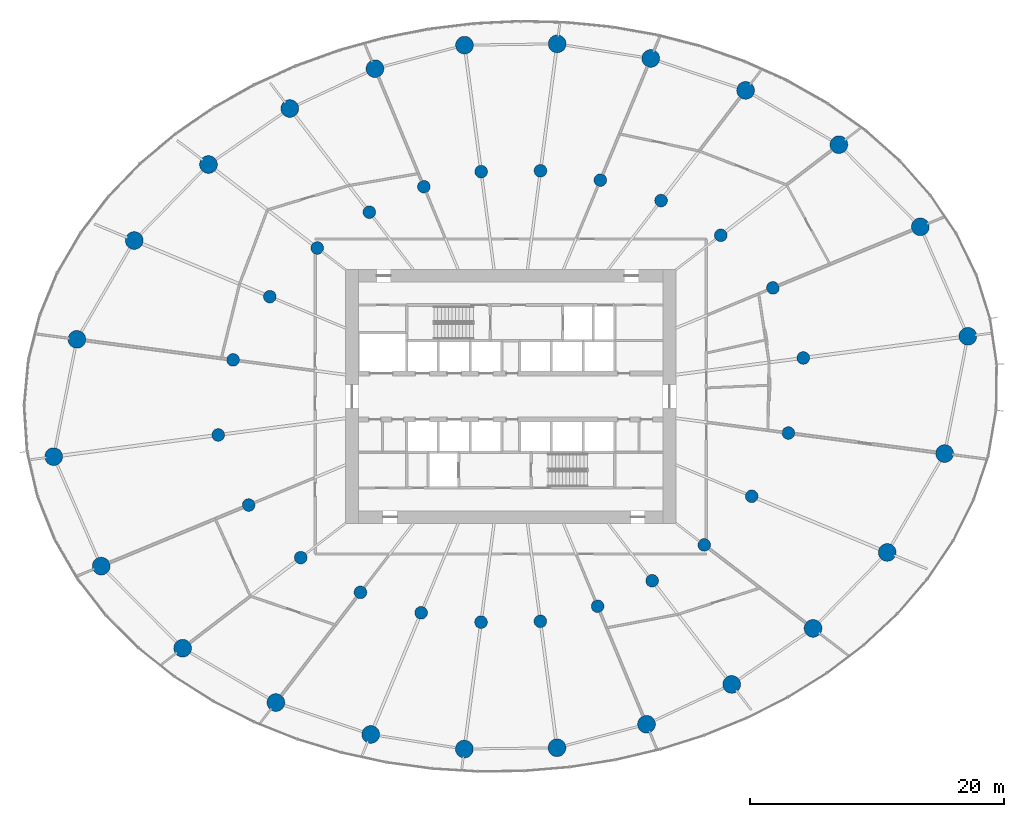
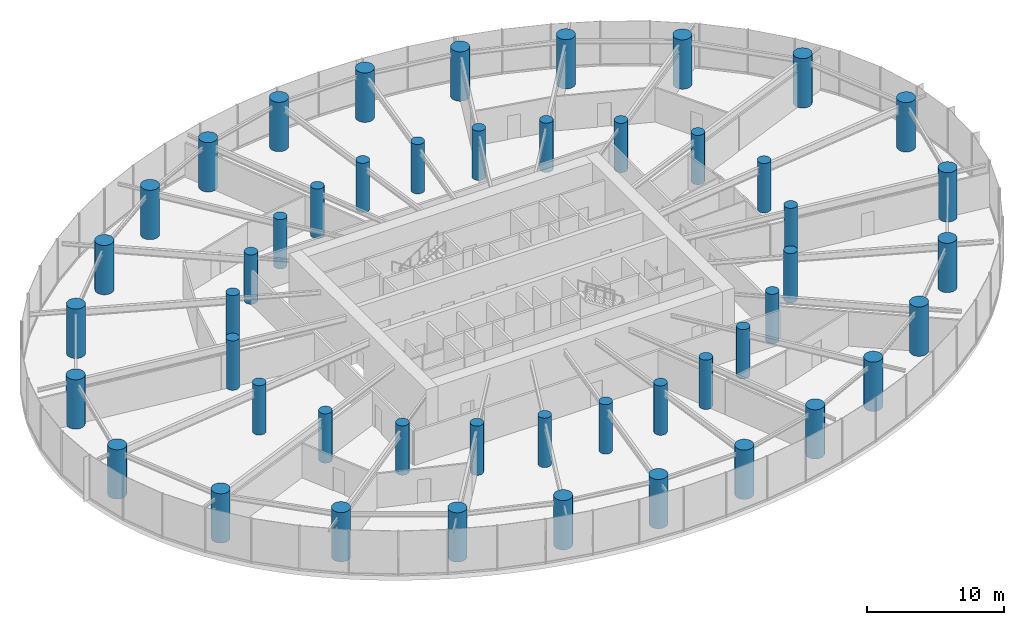
# One storey, part 1 of 19: 48 columns.
"""IFC4 building model written with IfcOpenShell, lengths in metres."""

import ifcopenshell
import ifcopenshell.guid

model = None  # the IFC model being written
_history = None  # IfcOwnerHistory: only IFC2X3 demands one
_inside = {}  # id of a spatial element -> (the spatial element, [elements in it])
_under = {}  # id of a project, library or spatial element -> (it, [spatial elements below it])
_declared = {}  # id of a project -> (the project, [libraries it declares])
_typed = {}  # id of a type object -> (the type object, [elements of that type])
_made_of = {}  # id of a material, layer set ... -> (it, [elements and type objects made of it])


def new_model(schema):
    """Start an empty IFC model of exactly this schema.

    Asked for "IFC4X3", IfcOpenShell would pick the latest addendum, in which some entities
    have other attributes; the version numbers below select the first issue.
    IFC2X3 requires an IfcOwnerHistory on every rooted entity: one is made here for all.
    """
    global model, _history
    if schema == "IFC4X3":
        model = ifcopenshell.file(schema_version=(4, 3, 0, 0))
    else:
        model = ifcopenshell.file(schema=schema)
    _inside.clear()
    _under.clear()
    _declared.clear()
    _typed.clear()
    _made_of.clear()
    _history = None
    if model.schema == "IFC2X3":
        org = make("IfcOrganization", Name="unknown")
        user = make(
            "IfcPersonAndOrganization",
            ThePerson=make("IfcPerson", FamilyName="unknown"),
            TheOrganization=org,
        )
        app = make(
            "IfcApplication",
            ApplicationDeveloper=org,
            Version="unknown",
            ApplicationFullName="unknown",
            ApplicationIdentifier="unknown",
        )
        _history = make(
            "IfcOwnerHistory",
            OwningUser=user,
            OwningApplication=app,
            ChangeAction="ADDED",
            CreationDate=0,
        )
    return model


def make(cls, **values):
    """One entity of the class cls with the attributes given. An attribute that is None is left unset."""
    return model.create_entity(
        cls, **{name: value for name, value in values.items() if value is not None}
    )


def rooted(cls, **values):
    """An entity with a GlobalId (a new one), such as an element, a storey or a relation."""
    return make(cls, GlobalId=ifcopenshell.guid.new(), OwnerHistory=_history, **values)


def si_unit(unit_type, name, prefix=None):
    """IfcSIUnit, for example si_unit("LENGTHUNIT", "METRE", prefix="MILLI")."""
    return make("IfcSIUnit", UnitType=unit_type, Prefix=prefix, Name=name)


def assignment(units):
    """IfcUnitAssignment: the units of a project."""
    return None if units is None else make("IfcUnitAssignment", Units=units)


def point(xyz):
    """IfcCartesianPoint."""
    return None if xyz is None else make("IfcCartesianPoint", Coordinates=xyz)


def direction(xyz):
    """IfcDirection."""
    return None if xyz is None else make("IfcDirection", DirectionRatios=xyz)


def frame(location, z_axis=None, x_axis=None):
    """IfcAxis2Placement3D, a coordinate frame: its origin and axes. An axis left out is left unset."""
    return make(
        "IfcAxis2Placement3D",
        Location=point(location),
        Axis=direction(z_axis),
        RefDirection=direction(x_axis),
    )


def frame_2d(location, x_axis=None):
    """IfcAxis2Placement2D, a coordinate frame in the plane: its origin and x axis."""
    return make(
        "IfcAxis2Placement2D", Location=point(location), RefDirection=direction(x_axis)
    )


def origin():
    """The frame at (0, 0, 0) with its axes left unset."""
    return frame((0.0, 0.0, 0.0))


def origin_2d():
    """The frame at (0, 0) in the plane with its x axis left unset."""
    return frame_2d((0.0, 0.0))


def place(relative_to, where):
    """IfcLocalPlacement: puts the frame where relative to a parent placement (None: the world)."""
    return make(
        "IfcLocalPlacement", PlacementRelTo=relative_to, RelativePlacement=where
    )


def context(
    kind, dimensions, precision=None, world=None, true_north=None, identifier=None
):
    """IfcGeometricRepresentationContext, for example the 3D "Model" context."""
    return make(
        "IfcGeometricRepresentationContext",
        ContextIdentifier=identifier,
        ContextType=kind,
        CoordinateSpaceDimension=dimensions,
        Precision=precision,
        WorldCoordinateSystem=world,
        TrueNorth=true_north,
    )


def subcontext(parent, identifier, kind, view, scale=None):
    """IfcGeometricRepresentationSubContext, for example "Body" below "Model"."""
    return make(
        "IfcGeometricRepresentationSubContext",
        ContextIdentifier=identifier,
        ContextType=kind,
        ParentContext=parent,
        TargetScale=scale,
        TargetView=view,
    )


def project(units=None, contexts=None):
    """IfcProject with its units and contexts."""
    return rooted(
        "IfcProject",
        Name="project",
        RepresentationContexts=contexts,
        UnitsInContext=assignment(units),
    )


def spatial(cls, under=None, at=None, **own):
    """A site, building, storey or space (cls), placed at a placement, below another one or the project."""
    s = rooted(cls, ObjectPlacement=at, **own)
    if under is not None:
        _under.setdefault(under.id(), (under, []))[1].append(s)
    return s


def profile(cls, at=None, kind="AREA", **sizes):
    """A parametric profile (cls). Its sizes go by their IFC names, for example OverallWidth=200.0."""
    return make(cls, ProfileType=kind, Position=at, **sizes)


def circle(**sizes):
    """IfcCircleProfileDef."""
    return profile("IfcCircleProfileDef", **sizes)


def extrude(swept, where, along, depth):
    """IfcExtrudedAreaSolid: the profile swept, set in the frame where, extruded along a direction by depth."""
    return make(
        "IfcExtrudedAreaSolid",
        SweptArea=swept,
        Position=where,
        ExtrudedDirection=direction(along),
        Depth=depth,
    )


def shape(context_of_items, identifier, shape_type, items):
    """IfcShapeRepresentation: the items that make up one representation, for example the "Body"."""
    return make(
        "IfcShapeRepresentation",
        ContextOfItems=context_of_items,
        RepresentationIdentifier=identifier,
        RepresentationType=shape_type,
        Items=items,
    )


def source(mapping_origin, context_of_items, identifier, shape_type, items):
    """IfcRepresentationMap: a shape defined once, which mapped items show again and again."""
    return make(
        "IfcRepresentationMap",
        MappingOrigin=mapping_origin,
        MappedRepresentation=shape(context_of_items, identifier, shape_type, items),
    )


def transform(
    local_origin,
    x_axis=None,
    y_axis=None,
    z_axis=None,
    scale=None,
    scale2=None,
    scale3=None,
    uniform=True,
):
    """IfcCartesianTransformationOperator3D, or its non-uniform kind. x_axis, y_axis, z_axis: its Axis1, 2, 3."""
    if uniform:
        return make(
            "IfcCartesianTransformationOperator3D",
            Axis1=direction(x_axis),
            Axis2=direction(y_axis),
            LocalOrigin=point(local_origin),
            Scale=scale,
            Axis3=direction(z_axis),
        )
    return make(
        "IfcCartesianTransformationOperator3DnonUniform",
        Axis1=direction(x_axis),
        Axis2=direction(y_axis),
        LocalOrigin=point(local_origin),
        Scale=scale,
        Axis3=direction(z_axis),
        Scale2=scale2,
        Scale3=scale3,
    )


def mapped(mapping_source, mapping_target):
    """IfcMappedItem: shows the shape of a source again, moved by a transform."""
    return make(
        "IfcMappedItem", MappingSource=mapping_source, MappingTarget=mapping_target
    )


def material(Name=None, Category=None):
    """IfcMaterial."""
    return make("IfcMaterial", Name=Name, Category=Category)


def material_profile(
    of_material, cross_section, Name=None, Category=None, Priority=None
):
    """IfcMaterialProfile: a cross section and its material."""
    return make(
        "IfcMaterialProfile",
        Name=Name,
        Material=of_material,
        Profile=cross_section,
        Priority=Priority,
        Category=Category,
    )


def profile_set(profiles, Name=None, composite=None):
    """IfcMaterialProfileSet."""
    return make(
        "IfcMaterialProfileSet",
        Name=Name,
        MaterialProfiles=profiles,
        CompositeProfile=composite,
    )


def made_of(thing, what):
    """Note that an element or type object is made of a material, layer set ...; save() writes the relation."""
    if what is not None:
        _made_of.setdefault(what.id(), (what, []))[1].append(thing)
    return thing


def type_object(cls, material=None, **own):
    """A type object (cls), such as IfcWallType, which elements share."""
    return made_of(rooted(cls, **own), material)


def element(
    cls,
    number,
    at=None,
    inside=None,
    cuts=None,
    type_object=None,
    material=None,
    context=None,
    identifier="Body",
    shape_type=None,
    held_by="IfcProductDefinitionShape",
    body=None,
    shapes=None,
    **own,
):
    """One element of the class cls, such as IfcWall. Its Tag is "e" and its number.

    at: its placement. inside: the storey or other place that contains it. cuts: it is an
    opening in that element (IfcRelVoidsElement). A single representation is given by context,
    identifier, shape_type and body (its items); several are given by shapes. held_by: the class
    of the entity that holds the representations. save() writes the other relations.
    """
    e = rooted(cls, Tag="e%d" % number, ObjectPlacement=at, **own)
    if body is not None:
        shapes = [shape(context, identifier, shape_type, body)]
    if shapes is not None:
        e.Representation = make(held_by, Representations=shapes)
    if inside is not None:
        _inside.setdefault(inside.id(), (inside, []))[1].append(e)
    if cuts is not None:
        rooted(
            "IfcRelVoidsElement", RelatingBuildingElement=cuts, RelatedOpeningElement=e
        )
    if type_object is not None:
        _typed.setdefault(type_object.id(), (type_object, []))[1].append(e)
    return made_of(e, material)


def aggregate(whole, parts):
    """IfcRelAggregates: a whole, such as a stair, and the parts it consists of."""
    return rooted("IfcRelAggregates", RelatingObject=whole, RelatedObjects=parts)


def save(model, path):
    """Write the relations noted so far, then the file.

    IfcRelAggregates (storeys below a building ...), IfcRelContainedInSpatialStructure (elements
    in a storey), IfcRelDefinesByType, IfcRelAssociatesMaterial and IfcRelDeclares: one each for
    every whole, place, type object, material and project.
    """
    for whole, parts in _under.values():
        aggregate(whole, parts)
    for where, things in _inside.values():
        rooted(
            "IfcRelContainedInSpatialStructure",
            RelatedElements=things,
            RelatingStructure=where,
        )
    for kind, things in _typed.values():
        rooted("IfcRelDefinesByType", RelatedObjects=things, RelatingType=kind)
    for what, things in _made_of.values():
        rooted("IfcRelAssociatesMaterial", RelatedObjects=things, RelatingMaterial=what)
    for by, libraries in _declared.values():
        rooted("IfcRelDeclares", RelatingContext=by, RelatedDefinitions=libraries)
    model.write(path)


model = new_model("IFC4")

# Units and contexts
model_context = context("Model", 3, precision=1e-05, world=origin(), true_north=direction((0.0, 1.0)))
body_context = subcontext(model_context, "Body", "Model", "MODEL_VIEW")
ifc_project = project(units=[si_unit("LENGTHUNIT", "METRE"), si_unit("AREAUNIT", "SQUARE_METRE"), si_unit("VOLUMEUNIT", "CUBIC_METRE"), si_unit("PLANEANGLEUNIT", "RADIAN"), si_unit("MASSUNIT", "GRAM", prefix="KILO")], contexts=[model_context])

# Site, building, storey
site_placement = place(None, origin())
site = spatial("IfcSite", under=ifc_project, at=site_placement, CompositionType="ELEMENT")
building_placement = place(site_placement, origin())
building = spatial("IfcBuilding", under=site, at=building_placement, Name="Spindrift Exchange Tower", CompositionType="ELEMENT")
storey_placement = place(building_placement, frame((0.0, 0.0, 31.39990234375)))
storey = spatial("IfcBuildingStorey", under=building, at=storey_placement, Name="L07", CompositionType="ELEMENT", Elevation=31.39990234375)

# Columns
ifc_material = material(Name="Concrete 80 MPa", Category="concrete")
ifc_material_profile_1 = material_profile(ifc_material, circle(Radius=0.699951171875, at=origin_2d()), Name="RC D1400")
ifc_profile_set_1 = profile_set([ifc_material_profile_1], Name="Concrete 80 MPa")
column_type_1 = type_object("IfcColumnType", Name="RC Perimeter Column D1400 Concrete 80 MPa", PredefinedType="COLUMN", material=ifc_profile_set_1)
shared_shape_1 = source(origin(), body_context, "Body", "SweptSolid", [
    extrude(circle(Radius=0.699951171875, at=origin_2d()), origin(), (0.0, 0.0, 1.0), 4.400146484375),
])
for number, where, z_axis, x_axis, name in (
    (1, (87.990478515625, 52.73828125, 0.0), (0.0, 0.0, 1.0), (1.0, 0.0, 0.0), "Perimeter column P1-01 L07"),
    (2, (84.248779296875, 61.35791015625, 0.0), (0.0, 0.0, 1.0), (1.0, 0.0, 0.0), "Perimeter column P1-02 L07"),
    (3, (77.835693359375, 67.82421875, 0.0), (0.0, 0.0, 1.0), (1.0, 0.0, 0.0), "Perimeter column P1-03 L07"),
    (4, (70.4921875, 72.099609375, 0.0), (0.0, 0.0, 1.0), (1.0, 0.0, 0.0), "Perimeter column P1-04 L07"),
    (5, (63.022705078125, 74.611328125, 0.0), (0.0, 0.0, 1.0), (1.0, 0.0, 0.0), "Perimeter column P1-05 L07"),
    (6, (55.65478515625, 75.761474609375, 0.0), (0.0, 0.0, 1.0), (1.0, 0.0, 0.0), "Perimeter column P1-06 L07"),
    (7, (48.3583984375, 75.661376953125, 0.0), (0.0, 0.0, 1.0), (1.0, 0.0, 0.0), "Perimeter column P1-07 L07"),
    (8, (41.309814453125, 73.80859375, 0.0), (0.0, 0.0, 1.0), (1.0, 0.0, 0.0), "Perimeter column P1-08 L07"),
    (9, (34.603515625, 70.671630859375, 0.0), (0.0, 0.0, 1.0), (1.0, 0.0, 0.0), "Perimeter column P1-09 L07"),
    (10, (28.199462890625, 66.2626953125, 0.0), (0.0, 0.0, 1.0), (1.0, 0.0, 0.0), "Perimeter column P1-10 L07"),
    (11, (22.35546875, 60.279296875, 0.0), (0.0, 0.0, 1.0), (1.0, 0.0, 0.0), "Perimeter column P1-11 L07"),
    (12, (17.8388671875, 52.497314453125, 0.0), (0.0, 0.0, 1.0), (1.0, 0.0, 0.0), "Perimeter column P1-12 L07"),
    (13, (16.009521484375, 43.26171875, 0.0), (0.0, 0.0, 1.0), (1.0, 0.0, 0.0), "Perimeter column P1-13 L07"),
    (14, (19.751220703125, 34.64208984375, 0.0), (0.0, 0.0, 1.0), (1.0, 0.0, 0.0), "Perimeter column P1-14 L07"),
    (15, (26.164306640625, 28.17578125, 0.0), (0.0, 0.0, 1.0), (1.0, 0.0, 0.0), "Perimeter column P1-15 L07"),
    (16, (33.5078125, 23.900390625, 0.0), (0.0, 0.0, 1.0), (1.0, 0.0, 0.0), "Perimeter column P1-16 L07"),
    (17, (40.977294921875, 21.388671875, 0.0), (0.0, 0.0, 1.0), (1.0, 0.0, 0.0), "Perimeter column P1-17 L07"),
    (18, (48.34521484375, 20.238525390625, 0.0), (0.0, 0.0, 1.0), (1.0, 0.0, 0.0), "Perimeter column P1-18 L07"),
    (19, (55.6416015625, 20.338623046875, 0.0), (0.0, 0.0, 1.0), (1.0, 0.0, 0.0), "Perimeter column P1-19 L07"),
    (20, (62.690185546875, 22.19140625, 0.0), (0.0, 0.0, 1.0), (1.0, 0.0, 0.0), "Perimeter column P1-20 L07"),
    (21, (69.396484375, 25.328369140625, 0.0), (0.0, 0.0, 1.0), (1.0, 0.0, 0.0), "Perimeter column P1-21 L07"),
    (22, (75.800537109375, 29.7373046875, 0.0), (0.0, 0.0, 1.0), (1.0, 0.0, 0.0), "Perimeter column P1-22 L07"),
    (23, (81.64453125, 35.720703125, 0.0), (0.0, 0.0, 1.0), (1.0, 0.0, 0.0), "Perimeter column P1-23 L07"),
    (24, (86.1611328125, 43.502685546875, 0.0), (0.0, 0.0, 1.0), (1.0, 0.0, 0.0), "Perimeter column P1-24 L07"),
):
    element("IfcColumn", number, at=place(storey_placement, frame(where, z_axis=z_axis, x_axis=x_axis)), inside=storey, type_object=column_type_1, Name=name, PredefinedType="COLUMN", context=body_context, shape_type="MappedRepresentation", body=[
        mapped(shared_shape_1, transform((0.0, 0.0, 0.0), scale=1.0)),
    ])
ifc_material_profile_2 = material_profile(ifc_material, circle(Radius=0.5, at=origin_2d()), Name="RC D1000")
ifc_profile_set_2 = profile_set([ifc_material_profile_2], Name="Concrete 80 MPa")
column_type_2 = type_object("IfcColumnType", Name="RC Inner Column D1000 Concrete 80 MPa", PredefinedType="COLUMN", material=ifc_profile_set_2)
shared_shape_2 = source(origin(), body_context, "Body", "SweptSolid", [
    extrude(circle(Radius=0.5, at=origin_2d()), origin(), (0.0, 0.0, 1.0), 4.400146484375),
])
for number, where, z_axis, x_axis, name in (
    (25, (75.033935546875, 51.032470703125, 0.0), (0.0, 0.0, 1.0), (1.0, 0.0, 0.0), "Inner column Q1-01 L07"),
    (26, (72.639404296875, 56.549072265625, 0.0), (0.0, 0.0, 1.0), (1.0, 0.0, 0.0), "Inner column Q1-02 L07"),
    (27, (68.534912109375, 60.6875, 0.0), (0.0, 0.0, 1.0), (1.0, 0.0, 0.0), "Inner column Q1-03 L07"),
    (28, (63.835205078125, 63.423828125, 0.0), (0.0, 0.0, 1.0), (1.0, 0.0, 0.0), "Inner column Q1-04 L07"),
    (29, (59.0546875, 65.03125, 0.0), (0.0, 0.0, 1.0), (1.0, 0.0, 0.0), "Inner column Q1-05 L07"),
    (30, (54.339111328125, 65.767333984375, 0.0), (0.0, 0.0, 1.0), (1.0, 0.0, 0.0), "Inner column Q1-06 L07"),
    (31, (49.669189453125, 65.703125, 0.0), (0.0, 0.0, 1.0), (1.0, 0.0, 0.0), "Inner column Q1-07 L07"),
    (32, (45.158203125, 64.517578125, 0.0), (0.0, 0.0, 1.0), (1.0, 0.0, 0.0), "Inner column Q1-08 L07"),
    (33, (40.8662109375, 62.510009765625, 0.0), (0.0, 0.0, 1.0), (1.0, 0.0, 0.0), "Inner column Q1-09 L07"),
    (34, (36.767578125, 59.688232421875, 0.0), (0.0, 0.0, 1.0), (1.0, 0.0, 0.0), "Inner column Q1-10 L07"),
    (35, (33.027587890625, 55.858642578125, 0.0), (0.0, 0.0, 1.0), (1.0, 0.0, 0.0), "Inner column Q1-11 L07"),
    (36, (30.13671875, 50.87841796875, 0.0), (0.0, 0.0, 1.0), (1.0, 0.0, 0.0), "Inner column Q1-12 L07"),
    (37, (28.966064453125, 44.967529296875, 0.0), (0.0, 0.0, 1.0), (1.0, 0.0, 0.0), "Inner column Q1-13 L07"),
    (38, (31.360595703125, 39.450927734375, 0.0), (0.0, 0.0, 1.0), (1.0, 0.0, 0.0), "Inner column Q1-14 L07"),
    (39, (35.465087890625, 35.3125, 0.0), (0.0, 0.0, 1.0), (1.0, 0.0, 0.0), "Inner column Q1-15 L07"),
    (40, (40.164794921875, 32.576171875, 0.0), (0.0, 0.0, 1.0), (1.0, 0.0, 0.0), "Inner column Q1-16 L07"),
    (41, (44.9453125, 30.96875, 0.0), (0.0, 0.0, 1.0), (1.0, 0.0, 0.0), "Inner column Q1-17 L07"),
    (42, (49.660888671875, 30.232666015625, 0.0), (0.0, 0.0, 1.0), (1.0, 0.0, 0.0), "Inner column Q1-18 L07"),
    (43, (54.330810546875, 30.296875, 0.0), (0.0, 0.0, 1.0), (1.0, 0.0, 0.0), "Inner column Q1-19 L07"),
    (44, (58.841796875, 31.482421875, 0.0), (0.0, 0.0, 1.0), (1.0, 0.0, 0.0), "Inner column Q1-20 L07"),
    (45, (63.1337890625, 33.489990234375, 0.0), (0.0, 0.0, 1.0), (1.0, 0.0, 0.0), "Inner column Q1-21 L07"),
    (46, (67.232421875, 36.311767578125, 0.0), (0.0, 0.0, 1.0), (1.0, 0.0, 0.0), "Inner column Q1-22 L07"),
    (47, (70.972412109375, 40.141357421875, 0.0), (0.0, 0.0, 1.0), (1.0, 0.0, 0.0), "Inner column Q1-23 L07"),
    (48, (73.86328125, 45.12158203125, 0.0), (0.0, 0.0, 1.0), (1.0, 0.0, 0.0), "Inner column Q1-24 L07"),
):
    element("IfcColumn", number, at=place(storey_placement, frame(where, z_axis=z_axis, x_axis=x_axis)), inside=storey, type_object=column_type_2, Name=name, PredefinedType="COLUMN", context=body_context, shape_type="MappedRepresentation", body=[
        mapped(shared_shape_2, transform((0.0, 0.0, 0.0), scale=1.0)),
    ])

save(model, "model.ifc")
